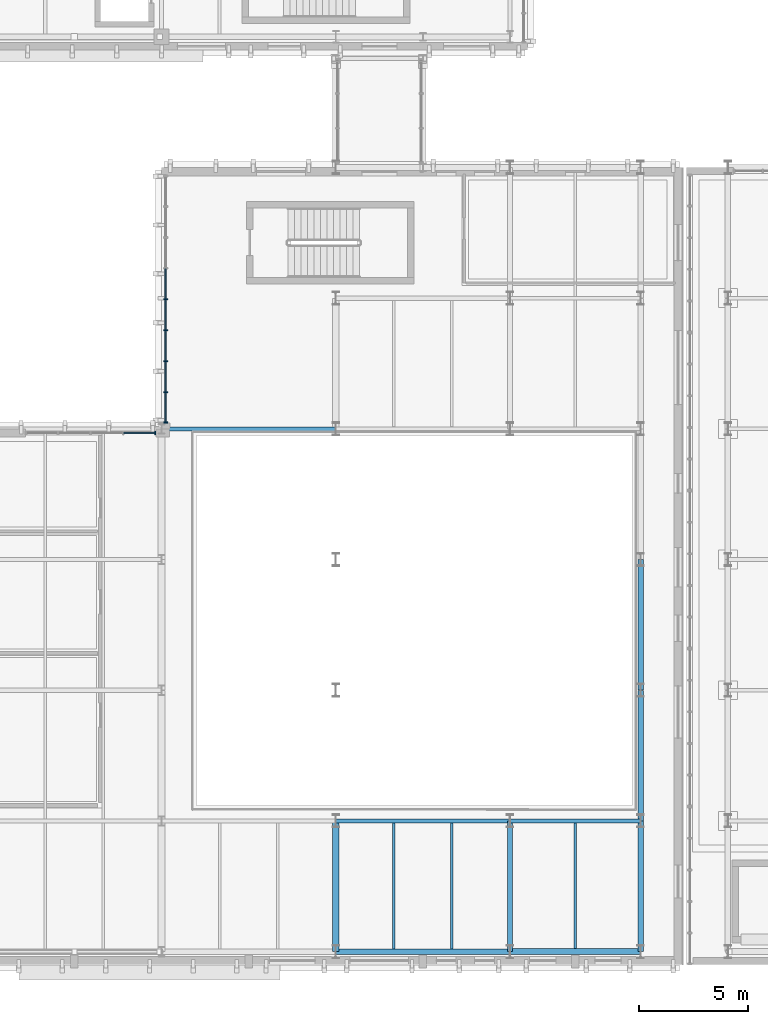
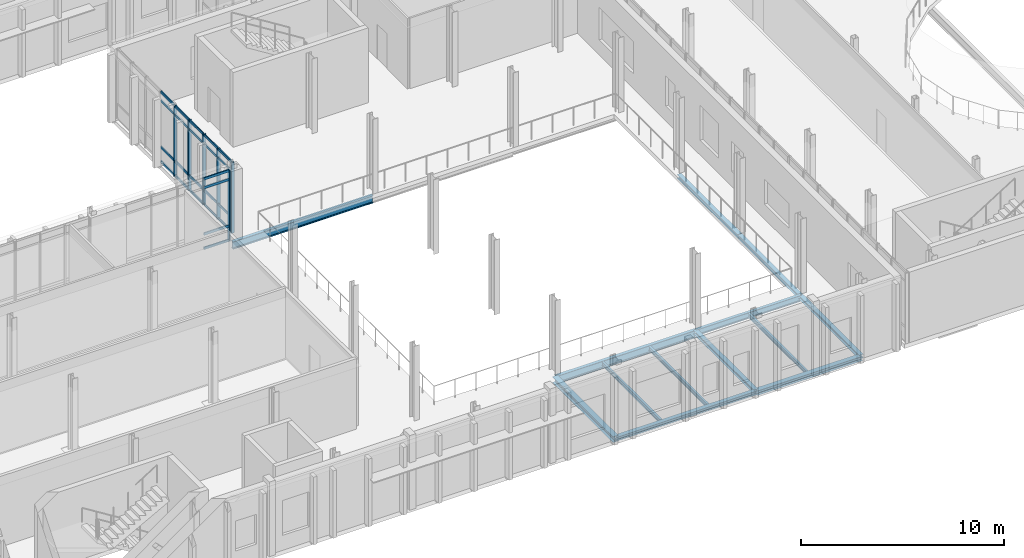
# One storey, part 14 of 100: 30 members, 13 beams, 2 elements without a shape of their own.
"""IFC4 building model written with IfcOpenShell, lengths in metres."""

from ifc_helpers import new_model, si_unit, direction, frame, origin, origin_2d, place, context, subcontext, project, spatial, rectangle, i_section, extrude, material, material_profile, profile_set, type_object, element, aggregate, save


model = new_model("IFC4")

# Units and contexts
model_context = context("Model", 3, precision=1e-05, world=origin(), true_north=direction((0.0, 1.0)))
body_context = subcontext(model_context, "Body", "Model", "MODEL_VIEW")
ifc_project = project(units=[si_unit("LENGTHUNIT", "METRE"), si_unit("AREAUNIT", "SQUARE_METRE"), si_unit("VOLUMEUNIT", "CUBIC_METRE"), si_unit("PLANEANGLEUNIT", "RADIAN"), si_unit("MASSUNIT", "GRAM", prefix="KILO")], contexts=[model_context])

# Site, building, storey
site_placement = place(None, origin())
site = spatial("IfcSite", under=ifc_project, at=site_placement, CompositionType="ELEMENT")
building_placement = place(site_placement, origin())
building = spatial("IfcBuilding", under=site, at=building_placement, Name="Cymarion Research Institute", CompositionType="ELEMENT")
storey_placement = place(building_placement, frame((0.0, 0.0, 4.800048828125)))
storey = spatial("IfcBuildingStorey", under=building, at=storey_placement, Name="L01", CompositionType="ELEMENT", Elevation=4.800048828125)

# Curtain wall, members
ifc_material_1 = material(Name="Anodised aluminium unitised curtain wall with Low-E glazing", Category="aluminium")
curtain_wall_type_1 = type_object("IfcCurtainWallType", Name="UNITISED CURTAIN WALL CW15 11380X4250", PredefinedType="NOTDEFINED", material=ifc_material_1)
curtain_wall_1_placement = place(storey_placement, origin())
curtain_wall_1 = element("IfcCurtainWall", 1, at=curtain_wall_1_placement, inside=storey, type_object=curtain_wall_type_1, Name="L01 V3 unitised curtain wall CW15 #34", PredefinedType="NOTDEFINED")
ifc_material_2 = material(Name="Anodised aluminium framing", Category="aluminium")
ifc_material_profile_1 = material_profile(ifc_material_2, rectangle(XDim=0.06005859375, YDim=0.179931640625, at=origin_2d()), Name="ALU MULLION 60x180")
ifc_profile_set_1 = profile_set([ifc_material_profile_1], Name="Anodised aluminium framing")
member_type_1 = type_object("IfcMemberType", Name="CURTAIN WALL MULLION ML01 60X180", PredefinedType="MULLION", material=ifc_profile_set_1)
member_1_placement = place(storey_placement, frame((30.7900390625, 35.448974609375, 0.0), z_axis=(0.0, 0.0, 1.0), x_axis=(0.0, -1.0, 0.0)))
member_1 = element("IfcMember", 2, at=member_1_placement, type_object=member_type_1, Name="CW15 mullion 5", PredefinedType="MULLION", context=body_context, shape_type="SweptSolid", body=[
    extrude(rectangle(XDim=0.06005859375, YDim=0.179931640625, at=origin_2d()), origin(), (0.0, 0.0, 1.0), 4.25),
])
member_2_placement = place(storey_placement, frame((30.7900390625, 34.02685546875, 0.0), z_axis=(0.0, 0.0, 1.0), x_axis=(0.0, -1.0, 0.0)))
member_2 = element("IfcMember", 3, at=member_2_placement, type_object=member_type_1, Name="CW15 mullion 6", PredefinedType="MULLION", context=body_context, shape_type="SweptSolid", body=[
    extrude(rectangle(XDim=0.06005859375, YDim=0.179931640625, at=origin_2d()), origin(), (0.0, 0.0, 1.0), 4.25),
])
member_3_placement = place(storey_placement, frame((30.7900390625, 32.6044921875, 0.0), z_axis=(0.0, 0.0, 1.0), x_axis=(0.0, -1.0, 0.0)))
member_3 = element("IfcMember", 4, at=member_3_placement, type_object=member_type_1, Name="CW15 mullion 7", PredefinedType="MULLION", context=body_context, shape_type="SweptSolid", body=[
    extrude(rectangle(XDim=0.06005859375, YDim=0.179931640625, at=origin_2d()), origin(), (0.0, 0.0, 1.0), 4.25),
])
member_4_placement = place(storey_placement, frame((30.7900390625, 31.18212890625, 0.0), z_axis=(0.0, 0.0, 1.0), x_axis=(0.0, -1.0, 0.0)))
member_4 = element("IfcMember", 5, at=member_4_placement, type_object=member_type_1, Name="CW15 mullion 8", PredefinedType="MULLION", context=body_context, shape_type="SweptSolid", body=[
    extrude(rectangle(XDim=0.06005859375, YDim=0.179931640625, at=origin_2d()), origin(), (0.0, 0.0, 1.0), 4.25),
])
member_5_placement = place(storey_placement, frame((30.7900390625, 29.7900390625, 0.0), z_axis=(0.0, 0.0, 1.0), x_axis=(0.0, -1.0, 0.0)))
member_5 = element("IfcMember", 6, at=member_5_placement, type_object=member_type_1, Name="CW15 mullion 9", PredefinedType="MULLION", context=body_context, shape_type="SweptSolid", body=[
    extrude(rectangle(XDim=0.06005859375, YDim=0.179931640625, at=origin_2d()), origin(), (0.0, 0.0, 1.0), 4.25),
])

# Curtain wall, member
curtain_wall_type_2 = type_object("IfcCurtainWallType", Name="UNITISED CURTAIN WALL CW16 5990X4250", PredefinedType="NOTDEFINED", material=ifc_material_1)
curtain_wall_2_placement = place(storey_placement, origin())
curtain_wall_2 = element("IfcCurtainWall", 7, at=curtain_wall_2_placement, inside=storey, type_object=curtain_wall_type_2, Name="L01 V3 unitised curtain wall CW16 #35", PredefinedType="NOTDEFINED")
member_6_placement = place(storey_placement, frame((30.31005859375, 29.31005859375, 0.0), z_axis=(0.0, 0.0, 1.0), x_axis=(-1.0, 0.0, 0.0)))
member_6 = element("IfcMember", 8, at=member_6_placement, type_object=member_type_1, Name="CW16 mullion 1", PredefinedType="MULLION", context=body_context, shape_type="SweptSolid", body=[
    extrude(rectangle(XDim=0.06005859375, YDim=0.179931640625, at=origin_2d()), origin(), (0.0, 0.0, 1.0), 4.25),
])

# Member
ifc_material_profile_2 = material_profile(ifc_material_2, rectangle(XDim=0.06005859375, YDim=0.14990234375, at=origin_2d()), Name="ALU TRANSOM 60x150")
ifc_profile_set_2 = profile_set([ifc_material_profile_2], Name="Anodised aluminium framing")
member_type_2 = type_object("IfcMemberType", Name="CURTAIN WALL TRANSOM TR01 60X150", PredefinedType="USERDEFINED", material=ifc_profile_set_2)
member_7_placement = place(storey_placement, frame((30.7900390625, 36.84130859375, 0.030029296875), z_axis=(0.0, -1.0, 0.0), x_axis=(1.0, 0.0, 0.0)))
member_7 = element("IfcMember", 9, at=member_7_placement, type_object=member_type_2, Name="CW15 transom 4.1", ObjectType="TRANSOM", PredefinedType="USERDEFINED", context=body_context, shape_type="SweptSolid", body=[
    extrude(rectangle(XDim=0.06005859375, YDim=0.14990234375, at=origin_2d()), origin(), (0.0, 0.0, 1.0), 1.3623046875),
])

member_8_placement = place(storey_placement, frame((30.7900390625, 36.84130859375, 0.89990234375), z_axis=(0.0, -1.0, 0.0), x_axis=(1.0, 0.0, 0.0)))
member_8 = element("IfcMember", 10, at=member_8_placement, type_object=member_type_2, Name="CW15 transom 4.2", ObjectType="TRANSOM", PredefinedType="USERDEFINED", context=body_context, shape_type="SweptSolid", body=[
    extrude(rectangle(XDim=0.06005859375, YDim=0.14990234375, at=origin_2d()), origin(), (0.0, 0.0, 1.0), 1.3623046875),
])

member_9_placement = place(storey_placement, frame((30.7900390625, 36.84130859375, 3.699951171875), z_axis=(0.0, -1.0, 0.0), x_axis=(1.0, 0.0, 0.0)))
member_9 = element("IfcMember", 11, at=member_9_placement, type_object=member_type_2, Name="CW15 transom 4.3", ObjectType="TRANSOM", PredefinedType="USERDEFINED", context=body_context, shape_type="SweptSolid", body=[
    extrude(rectangle(XDim=0.06005859375, YDim=0.14990234375, at=origin_2d()), origin(), (0.0, 0.0, 1.0), 1.3623046875),
])

member_10_placement = place(storey_placement, frame((30.7900390625, 36.84130859375, 4.219970703125), z_axis=(0.0, -1.0, 0.0), x_axis=(1.0, 0.0, 0.0)))
member_10 = element("IfcMember", 12, at=member_10_placement, type_object=member_type_2, Name="CW15 transom 4.4", ObjectType="TRANSOM", PredefinedType="USERDEFINED", context=body_context, shape_type="SweptSolid", body=[
    extrude(rectangle(XDim=0.06005859375, YDim=0.14990234375, at=origin_2d()), origin(), (0.0, 0.0, 1.0), 1.3623046875),
])

member_11_placement = place(storey_placement, frame((30.7900390625, 35.4189453125, 0.030029296875), z_axis=(0.0, -1.0, 0.0), x_axis=(1.0, 0.0, 0.0)))
member_11 = element("IfcMember", 13, at=member_11_placement, type_object=member_type_2, Name="CW15 transom 5.1", ObjectType="TRANSOM", PredefinedType="USERDEFINED", context=body_context, shape_type="SweptSolid", body=[
    extrude(rectangle(XDim=0.06005859375, YDim=0.14990234375, at=origin_2d()), origin(), (0.0, 0.0, 1.0), 1.3623046875),
])

member_12_placement = place(storey_placement, frame((30.7900390625, 35.4189453125, 0.89990234375), z_axis=(0.0, -1.0, 0.0), x_axis=(1.0, 0.0, 0.0)))
member_12 = element("IfcMember", 14, at=member_12_placement, type_object=member_type_2, Name="CW15 transom 5.2", ObjectType="TRANSOM", PredefinedType="USERDEFINED", context=body_context, shape_type="SweptSolid", body=[
    extrude(rectangle(XDim=0.06005859375, YDim=0.14990234375, at=origin_2d()), origin(), (0.0, 0.0, 1.0), 1.3623046875),
])

member_13_placement = place(storey_placement, frame((30.7900390625, 35.4189453125, 3.699951171875), z_axis=(0.0, -1.0, 0.0), x_axis=(1.0, 0.0, 0.0)))
member_13 = element("IfcMember", 15, at=member_13_placement, type_object=member_type_2, Name="CW15 transom 5.3", ObjectType="TRANSOM", PredefinedType="USERDEFINED", context=body_context, shape_type="SweptSolid", body=[
    extrude(rectangle(XDim=0.06005859375, YDim=0.14990234375, at=origin_2d()), origin(), (0.0, 0.0, 1.0), 1.3623046875),
])

member_14_placement = place(storey_placement, frame((30.7900390625, 35.4189453125, 4.219970703125), z_axis=(0.0, -1.0, 0.0), x_axis=(1.0, 0.0, 0.0)))
member_14 = element("IfcMember", 16, at=member_14_placement, type_object=member_type_2, Name="CW15 transom 5.4", ObjectType="TRANSOM", PredefinedType="USERDEFINED", context=body_context, shape_type="SweptSolid", body=[
    extrude(rectangle(XDim=0.06005859375, YDim=0.14990234375, at=origin_2d()), origin(), (0.0, 0.0, 1.0), 1.3623046875),
])

member_15_placement = place(storey_placement, frame((30.7900390625, 33.996826171875, 0.030029296875), z_axis=(0.0, -1.0, 0.0), x_axis=(1.0, 0.0, 0.0)))
member_15 = element("IfcMember", 17, at=member_15_placement, type_object=member_type_2, Name="CW15 transom 6.1", ObjectType="TRANSOM", PredefinedType="USERDEFINED", context=body_context, shape_type="SweptSolid", body=[
    extrude(rectangle(XDim=0.06005859375, YDim=0.14990234375, at=origin_2d()), origin(), (0.0, 0.0, 1.0), 1.3623046875),
])

member_16_placement = place(storey_placement, frame((30.7900390625, 33.996826171875, 0.89990234375), z_axis=(0.0, -1.0, 0.0), x_axis=(1.0, 0.0, 0.0)))
member_16 = element("IfcMember", 18, at=member_16_placement, type_object=member_type_2, Name="CW15 transom 6.2", ObjectType="TRANSOM", PredefinedType="USERDEFINED", context=body_context, shape_type="SweptSolid", body=[
    extrude(rectangle(XDim=0.06005859375, YDim=0.14990234375, at=origin_2d()), origin(), (0.0, 0.0, 1.0), 1.3623046875),
])

member_17_placement = place(storey_placement, frame((30.7900390625, 33.996826171875, 3.699951171875), z_axis=(0.0, -1.0, 0.0), x_axis=(1.0, 0.0, 0.0)))
member_17 = element("IfcMember", 19, at=member_17_placement, type_object=member_type_2, Name="CW15 transom 6.3", ObjectType="TRANSOM", PredefinedType="USERDEFINED", context=body_context, shape_type="SweptSolid", body=[
    extrude(rectangle(XDim=0.06005859375, YDim=0.14990234375, at=origin_2d()), origin(), (0.0, 0.0, 1.0), 1.3623046875),
])

member_18_placement = place(storey_placement, frame((30.7900390625, 33.996826171875, 4.219970703125), z_axis=(0.0, -1.0, 0.0), x_axis=(1.0, 0.0, 0.0)))
member_18 = element("IfcMember", 20, at=member_18_placement, type_object=member_type_2, Name="CW15 transom 6.4", ObjectType="TRANSOM", PredefinedType="USERDEFINED", context=body_context, shape_type="SweptSolid", body=[
    extrude(rectangle(XDim=0.06005859375, YDim=0.14990234375, at=origin_2d()), origin(), (0.0, 0.0, 1.0), 1.3623046875),
])

member_19_placement = place(storey_placement, frame((30.7900390625, 32.574462890625, 0.030029296875), z_axis=(0.0, -1.0, 0.0), x_axis=(1.0, 0.0, 0.0)))
member_19 = element("IfcMember", 21, at=member_19_placement, type_object=member_type_2, Name="CW15 transom 7.1", ObjectType="TRANSOM", PredefinedType="USERDEFINED", context=body_context, shape_type="SweptSolid", body=[
    extrude(rectangle(XDim=0.06005859375, YDim=0.14990234375, at=origin_2d()), origin(), (0.0, 0.0, 1.0), 1.3623046875),
])

member_20_placement = place(storey_placement, frame((30.7900390625, 32.574462890625, 0.89990234375), z_axis=(0.0, -1.0, 0.0), x_axis=(1.0, 0.0, 0.0)))
member_20 = element("IfcMember", 22, at=member_20_placement, type_object=member_type_2, Name="CW15 transom 7.2", ObjectType="TRANSOM", PredefinedType="USERDEFINED", context=body_context, shape_type="SweptSolid", body=[
    extrude(rectangle(XDim=0.06005859375, YDim=0.14990234375, at=origin_2d()), origin(), (0.0, 0.0, 1.0), 1.3623046875),
])

member_21_placement = place(storey_placement, frame((30.7900390625, 32.574462890625, 3.699951171875), z_axis=(0.0, -1.0, 0.0), x_axis=(1.0, 0.0, 0.0)))
member_21 = element("IfcMember", 23, at=member_21_placement, type_object=member_type_2, Name="CW15 transom 7.3", ObjectType="TRANSOM", PredefinedType="USERDEFINED", context=body_context, shape_type="SweptSolid", body=[
    extrude(rectangle(XDim=0.06005859375, YDim=0.14990234375, at=origin_2d()), origin(), (0.0, 0.0, 1.0), 1.3623046875),
])

member_22_placement = place(storey_placement, frame((30.7900390625, 32.574462890625, 4.219970703125), z_axis=(0.0, -1.0, 0.0), x_axis=(1.0, 0.0, 0.0)))
member_22 = element("IfcMember", 24, at=member_22_placement, type_object=member_type_2, Name="CW15 transom 7.4", ObjectType="TRANSOM", PredefinedType="USERDEFINED", context=body_context, shape_type="SweptSolid", body=[
    extrude(rectangle(XDim=0.06005859375, YDim=0.14990234375, at=origin_2d()), origin(), (0.0, 0.0, 1.0), 1.3623046875),
])

member_23_placement = place(storey_placement, frame((30.7900390625, 31.15234375, 0.030029296875), z_axis=(0.0, -1.0, 0.0), x_axis=(1.0, 0.0, 0.0)))
member_23 = element("IfcMember", 25, at=member_23_placement, type_object=member_type_2, Name="CW15 transom 8.1", ObjectType="TRANSOM", PredefinedType="USERDEFINED", context=body_context, shape_type="SweptSolid", body=[
    extrude(rectangle(XDim=0.06005859375, YDim=0.14990234375, at=origin_2d()), origin(), (0.0, 0.0, 1.0), 1.332275390625),
])

member_24_placement = place(storey_placement, frame((30.7900390625, 31.15234375, 0.89990234375), z_axis=(0.0, -1.0, 0.0), x_axis=(1.0, 0.0, 0.0)))
member_24 = element("IfcMember", 26, at=member_24_placement, type_object=member_type_2, Name="CW15 transom 8.2", ObjectType="TRANSOM", PredefinedType="USERDEFINED", context=body_context, shape_type="SweptSolid", body=[
    extrude(rectangle(XDim=0.06005859375, YDim=0.14990234375, at=origin_2d()), origin(), (0.0, 0.0, 1.0), 1.332275390625),
])

member_25_placement = place(storey_placement, frame((30.7900390625, 31.15234375, 3.699951171875), z_axis=(0.0, -1.0, 0.0), x_axis=(1.0, 0.0, 0.0)))
member_25 = element("IfcMember", 27, at=member_25_placement, type_object=member_type_2, Name="CW15 transom 8.3", ObjectType="TRANSOM", PredefinedType="USERDEFINED", context=body_context, shape_type="SweptSolid", body=[
    extrude(rectangle(XDim=0.06005859375, YDim=0.14990234375, at=origin_2d()), origin(), (0.0, 0.0, 1.0), 1.332275390625),
])

member_26_placement = place(storey_placement, frame((30.7900390625, 31.15234375, 4.219970703125), z_axis=(0.0, -1.0, 0.0), x_axis=(1.0, 0.0, 0.0)))
member_26 = element("IfcMember", 28, at=member_26_placement, type_object=member_type_2, Name="CW15 transom 8.4", ObjectType="TRANSOM", PredefinedType="USERDEFINED", context=body_context, shape_type="SweptSolid", body=[
    extrude(rectangle(XDim=0.06005859375, YDim=0.14990234375, at=origin_2d()), origin(), (0.0, 0.0, 1.0), 1.332275390625),
])

aggregate(curtain_wall_1, [member_1, member_2, member_3, member_4, member_5, member_7, member_8, member_9, member_10, member_11, member_12, member_13, member_14, member_15, member_16, member_17, member_18, member_19, member_20, member_21, member_22, member_23, member_24, member_25, member_26])

member_27_placement = place(storey_placement, frame((30.280029296875, 29.31005859375, 0.030029296875), z_axis=(-1.0, 0.0, 0.0), x_axis=(0.0, -1.0, 0.0)))
member_27 = element("IfcMember", 29, at=member_27_placement, type_object=member_type_2, Name="CW16 transom 1.1", ObjectType="TRANSOM", PredefinedType="USERDEFINED", context=body_context, shape_type="SweptSolid", body=[
    extrude(rectangle(XDim=0.06005859375, YDim=0.14990234375, at=origin_2d()), origin(), (0.0, 0.0, 1.0), 1.407470703125),
])

member_28_placement = place(storey_placement, frame((30.280029296875, 29.31005859375, 0.89990234375), z_axis=(-1.0, 0.0, 0.0), x_axis=(0.0, -1.0, 0.0)))
member_28 = element("IfcMember", 30, at=member_28_placement, type_object=member_type_2, Name="CW16 transom 1.2", ObjectType="TRANSOM", PredefinedType="USERDEFINED", context=body_context, shape_type="SweptSolid", body=[
    extrude(rectangle(XDim=0.06005859375, YDim=0.14990234375, at=origin_2d()), origin(), (0.0, 0.0, 1.0), 1.407470703125),
])

member_29_placement = place(storey_placement, frame((30.280029296875, 29.31005859375, 3.699951171875), z_axis=(-1.0, 0.0, 0.0), x_axis=(0.0, -1.0, 0.0)))
member_29 = element("IfcMember", 31, at=member_29_placement, type_object=member_type_2, Name="CW16 transom 1.3", ObjectType="TRANSOM", PredefinedType="USERDEFINED", context=body_context, shape_type="SweptSolid", body=[
    extrude(rectangle(XDim=0.06005859375, YDim=0.14990234375, at=origin_2d()), origin(), (0.0, 0.0, 1.0), 1.407470703125),
])

member_30_placement = place(storey_placement, frame((30.280029296875, 29.31005859375, 4.219970703125), z_axis=(-1.0, 0.0, 0.0), x_axis=(0.0, -1.0, 0.0)))
member_30 = element("IfcMember", 32, at=member_30_placement, type_object=member_type_2, Name="CW16 transom 1.4", ObjectType="TRANSOM", PredefinedType="USERDEFINED", context=body_context, shape_type="SweptSolid", body=[
    extrude(rectangle(XDim=0.06005859375, YDim=0.14990234375, at=origin_2d()), origin(), (0.0, 0.0, 1.0), 1.407470703125),
])

aggregate(curtain_wall_2, [member_6, member_27, member_28, member_29, member_30])

# Beams
ifc_material_3 = material(Name="Steel S355", Category="steel")
ifc_material_profile_3 = material_profile(ifc_material_3, i_section(OverallWidth=0.18994140625, OverallDepth=0.449951171875, WebThickness=0.009521484375, FlangeThickness=0.0146484375, FilletRadius=0.02099609375, at=origin_2d()), Name="IPE 450")
ifc_profile_set_3 = profile_set([ifc_material_profile_3], Name="Steel S355")
beam_type_1 = type_object("IfcBeamType", Name="PRIMARY GIRDER BM04 IPE 450", PredefinedType="BEAM", material=ifc_profile_set_3)
for number, where, z_axis, x_axis, name in (
    (33, (38.60595703125, 11.5, -0.47509765625), (1.0, 0.0, 0.0), (0.0, 1.0, 0.0), "L01 V3 girder BM04 #543"),
    (34, (30.60595703125, 29.5, -0.47509765625), (1.0, 0.0, 0.0), (0.0, 1.0, 0.0), "L01 V3 girder BM04 #554"),
):
    element("IfcBeam", number, at=place(storey_placement, frame(where, z_axis=z_axis, x_axis=x_axis)), inside=storey, type_object=beam_type_1, Name=name, PredefinedType="BEAM", context=body_context, shape_type="SweptSolid", body=[
        extrude(i_section(OverallWidth=0.18994140625, OverallDepth=0.449951171875, WebThickness=0.009521484375, FlangeThickness=0.0146484375, FilletRadius=0.02099609375, at=origin_2d()), origin(), (0.0, 0.0, 1.0), 7.988037109375),
    ])
ifc_material_profile_4 = material_profile(ifc_material_3, i_section(OverallWidth=0.169921875, OverallDepth=0.360107421875, WebThickness=0.008056640625, FlangeThickness=0.0126953125, FilletRadius=0.01806640625, at=origin_2d()), Name="IPE 360")
ifc_profile_set_4 = profile_set([ifc_material_profile_4], Name="Steel S355")
beam_type_2 = type_object("IfcBeamType", Name="PRIMARY GIRDER BM06 IPE 360", PredefinedType="BEAM", material=ifc_profile_set_4)
beam_1_placement = place(storey_placement, frame((46.60595703125, 11.5, -0.429931640625), z_axis=(1.0, 0.0, 0.0), x_axis=(0.0, 1.0, 0.0)))
element("IfcBeam", 35, at=beam_1_placement, inside=storey, type_object=beam_type_2, Name="L01 V3 girder BM06 #544", PredefinedType="BEAM", context=body_context, shape_type="SweptSolid", body=[
    extrude(i_section(OverallWidth=0.169921875, OverallDepth=0.360107421875, WebThickness=0.008056640625, FlangeThickness=0.0126953125, FilletRadius=0.01806640625, at=origin_2d()), origin(), (0.0, 0.0, 1.0), 5.988037109375),
])
ifc_material_profile_5 = material_profile(ifc_material_3, i_section(OverallWidth=0.300048828125, OverallDepth=0.35009765625, WebThickness=0.010009765625, FlangeThickness=0.017578125, FilletRadius=0.027099609375, at=origin_2d()), Name="HEA 360")
ifc_profile_set_5 = profile_set([ifc_material_profile_5], Name="Steel S355")
beam_type_3 = type_object("IfcBeamType", Name="PRIMARY GIRDER BM12 HEA 360", PredefinedType="BEAM", material=ifc_profile_set_5)
beam_2_placement = place(storey_placement, frame((38.60009765625, 5.506103515625, -0.425048828125), z_axis=(0.0, 1.0, 0.0), x_axis=(-1.0, 0.0, 0.0)))
element("IfcBeam", 36, at=beam_2_placement, inside=storey, type_object=beam_type_3, Name="L01 V3 girder BM12 #578", PredefinedType="BEAM", context=body_context, shape_type="SweptSolid", body=[
    extrude(i_section(OverallWidth=0.300048828125, OverallDepth=0.35009765625, WebThickness=0.010009765625, FlangeThickness=0.017578125, FilletRadius=0.027099609375, at=origin_2d()), origin(), (0.0, 0.0, 1.0), 5.98779296875),
])
ifc_material_profile_6 = material_profile(ifc_material_3, i_section(OverallWidth=0.1201171875, OverallDepth=0.239990234375, WebThickness=0.006103515625, FlangeThickness=0.009765625, FilletRadius=0.014892578125, at=origin_2d()), Name="IPE 240")
ifc_profile_set_6 = profile_set([ifc_material_profile_6], Name="Steel S355")
beam_type_4 = type_object("IfcBeamType", Name="SECONDARY JOIST JS04 IPE 240", PredefinedType="JOIST", material=ifc_profile_set_6)
for number, where, z_axis, x_axis, name in (
    (37, (41.2666015625, 5.6240234375, -0.3701171875), (0.0, 1.0, 0.0), (-1.0, 0.0, 0.0), "L01 V3 secondary joist JS04 #596"),
    (38, (43.933349609375, 5.6240234375, -0.3701171875), (0.0, 1.0, 0.0), (-1.0, 0.0, 0.0), "L01 V3 secondary joist JS04 #597"),
):
    element("IfcBeam", number, at=place(storey_placement, frame(where, z_axis=z_axis, x_axis=x_axis)), inside=storey, type_object=beam_type_4, Name=name, PredefinedType="JOIST", context=body_context, shape_type="SweptSolid", body=[
        extrude(i_section(OverallWidth=0.1201171875, OverallDepth=0.239990234375, WebThickness=0.006103515625, FlangeThickness=0.009765625, FilletRadius=0.014892578125, at=origin_2d()), origin(), (0.0, 0.0, 1.0), 5.77685546875),
    ])
beam_3_placement = place(storey_placement, frame((49.60009765625, 5.64404296875, -0.3701171875), z_axis=(0.0, 1.0, 0.0), x_axis=(-1.0, 0.0, 0.0)))
element("IfcBeam", 39, at=beam_3_placement, inside=storey, type_object=beam_type_4, Name="L01 V3 secondary joist JS04 #598", PredefinedType="JOIST", context=body_context, shape_type="SweptSolid", body=[
    extrude(i_section(OverallWidth=0.1201171875, OverallDepth=0.239990234375, WebThickness=0.006103515625, FlangeThickness=0.009765625, FilletRadius=0.014892578125, at=origin_2d()), origin(), (0.0, 0.0, 1.0), 5.766845703125),
])
ifc_material_profile_7 = material_profile(ifc_material_3, i_section(OverallWidth=0.280029296875, OverallDepth=0.27001953125, WebThickness=0.008056640625, FlangeThickness=0.012939453125, FilletRadius=0.02392578125, at=origin_2d()), Name="HEA 280")
ifc_profile_set_7 = profile_set([ifc_material_profile_7], Name="Steel S355")
beam_type_5 = type_object("IfcBeamType", Name="SPANDREL BEAM SPB02 HEA 280", PredefinedType="SPANDREL", material=ifc_profile_set_7)
beam_4_placement = place(storey_placement, frame((46.60595703125, 5.5, -0.385009765625), z_axis=(1.0, 0.0, 0.0), x_axis=(0.0, 1.0, 0.0)))
element("IfcBeam", 40, at=beam_4_placement, inside=storey, type_object=beam_type_5, Name="L01 V3 girder SPB02 #538", PredefinedType="SPANDREL", context=body_context, shape_type="SweptSolid", body=[
    extrude(i_section(OverallWidth=0.280029296875, OverallDepth=0.27001953125, WebThickness=0.008056640625, FlangeThickness=0.012939453125, FilletRadius=0.02392578125, at=origin_2d()), origin(), (0.0, 0.0, 1.0), 5.988037109375),
])
ifc_material_profile_8 = material_profile(ifc_material_3, i_section(OverallWidth=0.239990234375, OverallDepth=0.22998046875, WebThickness=0.007568359375, FlangeThickness=0.011962890625, FilletRadius=0.02099609375, at=origin_2d()), Name="HEA 240")
ifc_profile_set_8 = profile_set([ifc_material_profile_8], Name="Steel S355")
beam_type_6 = type_object("IfcBeamType", Name="SPANDREL BEAM SPB03 HEA 240", PredefinedType="SPANDREL", material=ifc_profile_set_8)
beam_5_placement = place(storey_placement, frame((38.60595703125, 5.5, -0.364990234375), z_axis=(1.0, 0.0, 0.0), x_axis=(0.0, 1.0, 0.0)))
element("IfcBeam", 41, at=beam_5_placement, inside=storey, type_object=beam_type_6, Name="L01 V3 girder SPB03 #537", PredefinedType="SPANDREL", context=body_context, shape_type="SweptSolid", body=[
    extrude(i_section(OverallWidth=0.239990234375, OverallDepth=0.22998046875, WebThickness=0.007568359375, FlangeThickness=0.011962890625, FilletRadius=0.02099609375, at=origin_2d()), origin(), (0.0, 0.0, 1.0), 7.988037109375),
])
for number, where, z_axis, x_axis, name in (
    (42, (46.60009765625, 5.506103515625, -0.364990234375), (0.0, 1.0, 0.0), (-1.0, 0.0, 0.0), "L01 V3 girder SPB03 #582"),
    (43, (52.60009765625, 5.506103515625, -0.364990234375), (0.0, 1.0, 0.0), (-1.0, 0.0, 0.0), "L01 V3 girder SPB03 #585"),
    (44, (52.60009765625, 11.506103515625, -0.364990234375), (0.0, 1.0, 0.0), (-1.0, 0.0, 0.0), "L01 V3 girder SPB03 #586"),
    (45, (52.60009765625, 17.506103515625, -0.364990234375), (0.0, 1.0, 0.0), (-1.0, 0.0, 0.0), "L01 V3 girder SPB03 #587"),
):
    element("IfcBeam", number, at=place(storey_placement, frame(where, z_axis=z_axis, x_axis=x_axis)), inside=storey, type_object=beam_type_6, Name=name, PredefinedType="SPANDREL", context=body_context, shape_type="SweptSolid", body=[
        extrude(i_section(OverallWidth=0.239990234375, OverallDepth=0.22998046875, WebThickness=0.007568359375, FlangeThickness=0.011962890625, FilletRadius=0.02099609375, at=origin_2d()), origin(), (0.0, 0.0, 1.0), 5.98779296875),
    ])

save(model, "model.ifc")
